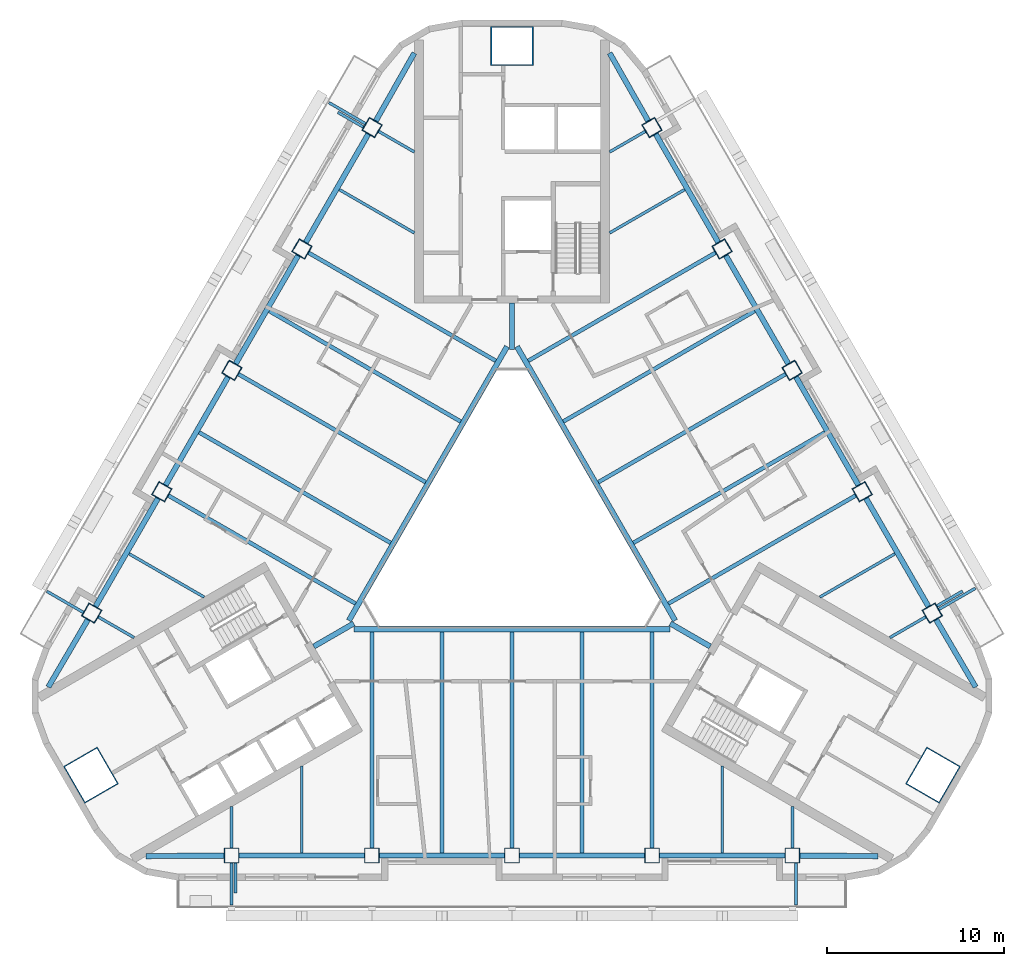
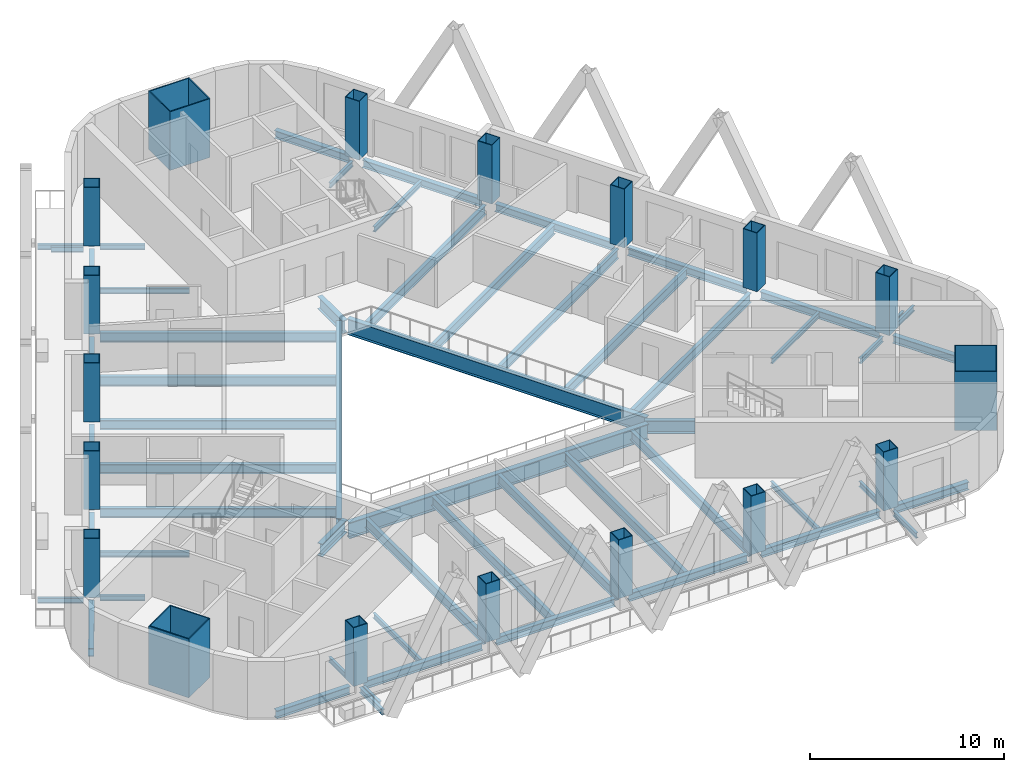
# One storey, part 1 of 13: 59 beams, 18 columns.
"""IFC4 building model written with IfcOpenShell, lengths in metres."""

from ifc_helpers import new_model, si_unit, direction, frame, origin, origin_2d, place, context, subcontext, project, spatial, rectangle, hollow_rectangle, i_section, extrude, material, material_profile, profile_set, type_object, element, save


model = new_model("IFC4")

# Units and contexts
model_context = context("Model", 3, precision=1e-05, world=origin(), true_north=direction((0.0, 1.0)))
body_context = subcontext(model_context, "Body", "Model", "MODEL_VIEW")
ifc_project = project(units=[si_unit("LENGTHUNIT", "METRE"), si_unit("AREAUNIT", "SQUARE_METRE"), si_unit("VOLUMEUNIT", "CUBIC_METRE"), si_unit("PLANEANGLEUNIT", "RADIAN"), si_unit("MASSUNIT", "GRAM", prefix="KILO")], contexts=[model_context])

# Site, building, storey
site_placement = place(None, origin())
site = spatial("IfcSite", under=ifc_project, at=site_placement, CompositionType="ELEMENT")
building_placement = place(site_placement, origin())
building = spatial("IfcBuilding", under=site, at=building_placement, Name="Apuvela Tower Hotel", CompositionType="ELEMENT")
storey_placement = place(building_placement, frame((0.0, 0.0, 161.39990234375)))
storey = spatial("IfcBuildingStorey", under=building, at=storey_placement, Name="L38", CompositionType="ELEMENT", Elevation=161.39990234375)

# Columns
ifc_material_1 = material(Name="Steel S460", Category="steel")
ifc_material_profile_1 = material_profile(ifc_material_1, hollow_rectangle(XDim=2.39990234375, YDim=2.199951171875, WallThickness=0.06005859375, at=origin_2d()), Name="BOX 2400x2200x60")
ifc_material_2 = material(Name="Concrete C80/95", Category="concrete")
ifc_material_profile_2 = material_profile(ifc_material_2, rectangle(XDim=2.280029296875, YDim=2.080078125, at=origin_2d()), Name="Concrete C80/95 infill")
ifc_profile_set_1 = profile_set([ifc_material_profile_1, ifc_material_profile_2], Name="Steel S460")
column_type_1 = type_object("IfcColumnType", Name="STR-MC mega column BOX 2400x2200x60", PredefinedType="COLUMN", material=ifc_profile_set_1)
for number, where, z_axis, x_axis, name in (
    (1, (0.0, 27.39990234375, 0.0), (0.0, 0.0, 1.0), (1.0, 0.0, 0.0), "Mega column MC3 N"),
    (2, (-23.72900390625, -13.699951171875, 0.0), (0.0, 0.0, 1.0), (-0.5, 0.866025403784, 0.0), "Mega column MC3 SW"),
    (3, (23.72900390625, -13.699951171875, 0.0), (0.0, 0.0, 1.0), (0.5, 0.866025403784, 0.0), "Mega column MC3 SE"),
):
    element("IfcColumn", number, at=place(storey_placement, frame(where, z_axis=z_axis, x_axis=x_axis)), inside=storey, type_object=column_type_1, Name=name, PredefinedType="COLUMN", context=body_context, shape_type="SweptSolid", body=[
        extrude(hollow_rectangle(XDim=2.39990234375, YDim=2.199951171875, WallThickness=0.06005859375, at=origin_2d()), origin(), (0.0, 0.0, 1.0), 3.7001953125),
    ])
ifc_material_profile_3 = material_profile(ifc_material_1, hollow_rectangle(XDim=0.85009765625, YDim=0.85009765625, WallThickness=0.0400390625, at=origin_2d()), Name="BOX 850x850x40")
ifc_material_profile_4 = material_profile(ifc_material_2, rectangle(XDim=0.77001953125, YDim=0.77001953125, at=origin_2d()), Name="Concrete C80/95 infill")
ifc_profile_set_2 = profile_set([ifc_material_profile_3, ifc_material_profile_4], Name="Steel S460")
column_type_2 = type_object("IfcColumnType", Name="STR-PC perimeter column BOX 850x850x40", PredefinedType="COLUMN", material=ifc_profile_set_2)
for number, where, z_axis, x_axis, name in (
    (4, (-15.800048828125, -18.22998046875, 0.0), (0.0, 0.0, 1.0), (-1.0, 0.0, 0.0), "Perimeter column C4 S1"),
    (5, (-7.89990234375, -18.22998046875, 0.0), (0.0, 0.0, 1.0), (-1.0, 0.0, 0.0), "Perimeter column C4 S2"),
    (6, (0.0, -18.22998046875, 0.0), (0.0, 0.0, 1.0), (-1.0, 0.0, 0.0), "Perimeter column C4 S3"),
    (7, (7.89990234375, -18.22998046875, 0.0), (0.0, 0.0, 1.0), (-1.0, 0.0, 0.0), "Perimeter column C4 S4"),
    (8, (15.800048828125, -18.22998046875, 0.0), (0.0, 0.0, 1.0), (-1.0, 0.0, 0.0), "Perimeter column C4 S5"),
    (9, (23.6875, -4.568115234375, 0.0), (0.0, 0.0, 1.0), (-0.5, 0.866025403784, 0.0), "Perimeter column C4 NE1"),
    (10, (19.737548828125, 2.2734375, 0.0), (0.0, 0.0, 1.0), (-0.5, 0.866025403784, 0.0), "Perimeter column C4 NE2"),
    (11, (15.78759765625, 9.114990234375, 0.0), (0.0, 0.0, 1.0), (-0.5, 0.866025403784, 0.0), "Perimeter column C4 NE3"),
    (12, (11.837646484375, 15.95654296875, 0.0), (0.0, 0.0, 1.0), (-0.5, 0.866025403784, 0.0), "Perimeter column C4 NE4"),
    (13, (7.8876953125, 22.798095703125, 0.0), (0.0, 0.0, 1.0), (-0.5, 0.866025403784, 0.0), "Perimeter column C4 NE5"),
    (14, (-7.8876953125, 22.798095703125, 0.0), (0.0, 0.0, 1.0), (0.5, 0.866025403784, 0.0), "Perimeter column C4 NW1"),
    (15, (-11.837646484375, 15.95654296875, 0.0), (0.0, 0.0, 1.0), (0.5, 0.866025403784, 0.0), "Perimeter column C4 NW2"),
    (16, (-15.78759765625, 9.114990234375, 0.0), (0.0, 0.0, 1.0), (0.5, 0.866025403784, 0.0), "Perimeter column C4 NW3"),
    (17, (-19.737548828125, 2.2734375, 0.0), (0.0, 0.0, 1.0), (0.5, 0.866025403784, 0.0), "Perimeter column C4 NW4"),
    (18, (-23.6875, -4.568115234375, 0.0), (0.0, 0.0, 1.0), (0.5, 0.866025403784, 0.0), "Perimeter column C4 NW5"),
):
    element("IfcColumn", number, at=place(storey_placement, frame(where, z_axis=z_axis, x_axis=x_axis)), inside=storey, type_object=column_type_2, Name=name, PredefinedType="COLUMN", context=body_context, shape_type="SweptSolid", body=[
        extrude(hollow_rectangle(XDim=0.85009765625, YDim=0.85009765625, WallThickness=0.0400390625, at=origin_2d()), origin(), (0.0, 0.0, 1.0), 3.7001953125),
    ])

# Beams
ifc_material_3 = material(Name="Steel S355", Category="steel")
ifc_material_profile_5 = material_profile(ifc_material_3, i_section(OverallWidth=0.159912109375, OverallDepth=0.330078125, WebThickness=0.007568359375, FlangeThickness=0.011474609375, at=origin_2d()), Name="IPE 330")
ifc_profile_set_3 = profile_set([ifc_material_profile_5], Name="Steel S355")
beam_type_1 = type_object("IfcBeamType", Name="ENV-BALCONY-BEAM-IPE330", PredefinedType="BEAM", material=ifc_profile_set_3)
beam_1_placement = place(storey_placement, frame((-15.800048828125, -18.655029296875, -0.31494140625), z_axis=(0.0, -1.0, 0.0), x_axis=(1.0, 0.0, 0.0)))
element("IfcBeam", 19, at=beam_1_placement, inside=storey, type_object=beam_type_1, Name="Balcony cantilever beam S1 L38", PredefinedType="BEAM", context=body_context, shape_type="SweptSolid", body=[
    extrude(i_section(OverallWidth=0.159912109375, OverallDepth=0.330078125, WebThickness=0.007568359375, FlangeThickness=0.011474609375, at=origin_2d()), origin(), (0.0, 0.0, 1.0), 2.375),
])
beam_2_placement = place(storey_placement, frame((-15.580078125, -18.655029296875, -0.31494140625), z_axis=(0.0, -1.0, 0.0), x_axis=(1.0, 0.0, 0.0)))
element("IfcBeam", 20, at=beam_2_placement, inside=storey, type_object=beam_type_1, Name="Balcony cantilever beam S2 L38", PredefinedType="BEAM", context=body_context, shape_type="SweptSolid", body=[
    extrude(i_section(OverallWidth=0.159912109375, OverallDepth=0.330078125, WebThickness=0.007568359375, FlangeThickness=0.011474609375, at=origin_2d()), origin(), (0.0, 0.0, 1.0), 1.675048828125),
])
for number, where, z_axis, x_axis, name in (
    (21, (16.0, -18.655029296875, -0.31494140625), (0.0, -1.0, 0.0), (1.0, 0.0, 0.0), "Balcony cantilever beam S3 L38"),
    (22, (24.0556640625, -4.355712890625, -0.31494140625), (0.866033238375, 0.499986429846, 0.0), (-0.499986429846, 0.866033238375, 0.0), "Balcony cantilever beam NE1 L38"),
):
    element("IfcBeam", number, at=place(storey_placement, frame(where, z_axis=z_axis, x_axis=x_axis)), inside=storey, type_object=beam_type_1, Name=name, PredefinedType="BEAM", context=body_context, shape_type="SweptSolid", body=[
        extrude(i_section(OverallWidth=0.159912109375, OverallDepth=0.330078125, WebThickness=0.007568359375, FlangeThickness=0.011474609375, at=origin_2d()), origin(), (0.0, 0.0, 1.0), 2.375),
    ])
beam_3_placement = place(storey_placement, frame((23.94580078125, -4.165283203125, -0.31494140625), z_axis=(0.865964676353, 0.500105168249, 0.0), x_axis=(-0.500105168249, 0.865964676353, 0.0)))
element("IfcBeam", 23, at=beam_3_placement, inside=storey, type_object=beam_type_1, Name="Balcony cantilever beam NE2 L38", PredefinedType="BEAM", context=body_context, shape_type="SweptSolid", body=[
    extrude(i_section(OverallWidth=0.159912109375, OverallDepth=0.330078125, WebThickness=0.007568359375, FlangeThickness=0.011474609375, at=origin_2d()), origin(), (0.0, 0.0, 1.0), 1.675048828125),
])
beam_4_placement = place(storey_placement, frame((-8.255615234375, 23.0107421875, -0.31494140625), z_axis=(-0.866033238375, 0.499986429846, 0.0), x_axis=(-0.499986429846, -0.866033238375, 0.0)))
element("IfcBeam", 24, at=beam_4_placement, inside=storey, type_object=beam_type_1, Name="Balcony cantilever beam NW1 L38", PredefinedType="BEAM", context=body_context, shape_type="SweptSolid", body=[
    extrude(i_section(OverallWidth=0.159912109375, OverallDepth=0.330078125, WebThickness=0.007568359375, FlangeThickness=0.011474609375, at=origin_2d()), origin(), (0.0, 0.0, 1.0), 2.375),
])
beam_5_placement = place(storey_placement, frame((-8.36572265625, 22.8203125, -0.31494140625), z_axis=(-0.866064234506, 0.499932737185, 0.0), x_axis=(-0.499932737185, -0.866064234506, 0.0)))
element("IfcBeam", 25, at=beam_5_placement, inside=storey, type_object=beam_type_1, Name="Balcony cantilever beam NW2 L38", PredefinedType="BEAM", context=body_context, shape_type="SweptSolid", body=[
    extrude(i_section(OverallWidth=0.159912109375, OverallDepth=0.330078125, WebThickness=0.007568359375, FlangeThickness=0.011474609375, at=origin_2d()), origin(), (0.0, 0.0, 1.0), 1.675048828125),
])
beam_6_placement = place(storey_placement, frame((-24.15576171875, -4.52880859375, -0.31494140625), z_axis=(-0.866007538022, 0.500030943131, 0.0), x_axis=(-0.500030943131, -0.866007538022, 0.0)))
element("IfcBeam", 26, at=beam_6_placement, inside=storey, type_object=beam_type_1, Name="Balcony cantilever beam NW3 L38", PredefinedType="BEAM", context=body_context, shape_type="SweptSolid", body=[
    extrude(i_section(OverallWidth=0.159912109375, OverallDepth=0.330078125, WebThickness=0.007568359375, FlangeThickness=0.011474609375, at=origin_2d()), origin(), (0.0, 0.0, 1.0), 2.374755859375),
])
ifc_material_profile_6 = material_profile(ifc_material_3, i_section(OverallWidth=0.159912109375, OverallDepth=0.330078125, WebThickness=0.007568359375, FlangeThickness=0.011474609375, at=origin_2d()), Name="IPE 330")
ifc_profile_set_4 = profile_set([ifc_material_profile_6], Name="Steel S355")
beam_type_2 = type_object("IfcBeamType", Name="STR-B floor beam IPE 330", PredefinedType="BEAM", material=ifc_profile_set_4)
beam_7_placement = place(storey_placement, frame((23.319580078125, -4.78076171875, -0.31494140625), z_axis=(-0.866018215049, -0.500012451049, 0.0), x_axis=(0.500012451049, -0.866018215049, 0.0)))
element("IfcBeam", 27, at=beam_7_placement, inside=storey, type_object=beam_type_2, Name="Floor beam B1 NE1", PredefinedType="BEAM", context=body_context, shape_type="SweptSolid", body=[
    extrude(i_section(OverallWidth=0.159912109375, OverallDepth=0.330078125, WebThickness=0.007568359375, FlangeThickness=0.011474609375, at=origin_2d()), origin(), (0.0, 0.0, 1.0), 2.33203125),
])
for number, where, z_axis, x_axis, name in (
    (28, (21.582763671875, -1.222412109375, -0.31494140625), (-0.866015056278, -0.500017921979, 0.0), (0.500017921979, -0.866015056278, 0.0), "Floor beam B1 NE2"),
    (29, (9.732666015625, 19.302490234375, -0.31494140625), (-0.866015056278, -0.500017921979, 0.0), (0.500017921979, -0.866015056278, 0.0), "Floor beam B1 NE8"),
):
    element("IfcBeam", number, at=place(storey_placement, frame(where, z_axis=z_axis, x_axis=x_axis)), inside=storey, type_object=beam_type_2, Name=name, PredefinedType="BEAM", context=body_context, shape_type="SweptSolid", body=[
        extrude(i_section(OverallWidth=0.159912109375, OverallDepth=0.330078125, WebThickness=0.007568359375, FlangeThickness=0.011474609375, at=origin_2d()), origin(), (0.0, 0.0, 1.0), 4.887451171875),
    ])
for number, where, z_axis, x_axis, name in (
    (30, (7.51953125, 22.585693359375, -0.31494140625), (-0.866018215049, -0.500012451049, 0.0), (0.500012451049, -0.866018215049, 0.0), "Floor beam B1 NE9"),
    (31, (-7.51953125, 22.585693359375, -0.31494140625), (0.866018215049, -0.500012451049, 0.0), (0.500012451049, 0.866018215049, 0.0), "Floor beam B1 NW1"),
):
    element("IfcBeam", number, at=place(storey_placement, frame(where, z_axis=z_axis, x_axis=x_axis)), inside=storey, type_object=beam_type_2, Name=name, PredefinedType="BEAM", context=body_context, shape_type="SweptSolid", body=[
        extrude(i_section(OverallWidth=0.159912109375, OverallDepth=0.330078125, WebThickness=0.007568359375, FlangeThickness=0.011474609375, at=origin_2d()), origin(), (0.0, 0.0, 1.0), 2.33203125),
    ])
for number, where, z_axis, x_axis, name in (
    (32, (-9.732666015625, 19.302490234375, -0.31494140625), (0.866015056278, -0.500017921979, 0.0), (0.500017921979, 0.866015056278, 0.0), "Floor beam B1 NW2"),
    (33, (-21.582763671875, -1.222412109375, -0.31494140625), (0.866015056278, -0.500017921979, 0.0), (0.500017921979, 0.866015056278, 0.0), "Floor beam B1 NW8"),
):
    element("IfcBeam", number, at=place(storey_placement, frame(where, z_axis=z_axis, x_axis=x_axis)), inside=storey, type_object=beam_type_2, Name=name, PredefinedType="BEAM", context=body_context, shape_type="SweptSolid", body=[
        extrude(i_section(OverallWidth=0.159912109375, OverallDepth=0.330078125, WebThickness=0.007568359375, FlangeThickness=0.011474609375, at=origin_2d()), origin(), (0.0, 0.0, 1.0), 4.887451171875),
    ])
for number, where, z_axis, x_axis, name in (
    (34, (-23.319580078125, -4.78076171875, -0.31494140625), (0.866018215049, -0.500012451049, 0.0), (0.500012451049, 0.866018215049, 0.0), "Floor beam B1 NW9"),
    (35, (-15.800048828125, -17.804931640625, -0.31494140625), (0.0, 1.0, 0.0), (-1.0, 0.0, 0.0), "Floor beam B1 S1"),
):
    element("IfcBeam", number, at=place(storey_placement, frame(where, z_axis=z_axis, x_axis=x_axis)), inside=storey, type_object=beam_type_2, Name=name, PredefinedType="BEAM", context=body_context, shape_type="SweptSolid", body=[
        extrude(i_section(OverallWidth=0.159912109375, OverallDepth=0.330078125, WebThickness=0.007568359375, FlangeThickness=0.011474609375, at=origin_2d()), origin(), (0.0, 0.0, 1.0), 2.33203125),
    ])
for number, where, z_axis, x_axis, name in (
    (36, (-11.85009765625, -18.080078125, -0.31494140625), (0.0, 1.0, 0.0), (-1.0, 0.0, 0.0), "Floor beam B1 S2"),
    (37, (11.85009765625, -18.080078125, -0.31494140625), (0.0, 1.0, 0.0), (-1.0, 0.0, 0.0), "Floor beam B1 S8"),
):
    element("IfcBeam", number, at=place(storey_placement, frame(where, z_axis=z_axis, x_axis=x_axis)), inside=storey, type_object=beam_type_2, Name=name, PredefinedType="BEAM", context=body_context, shape_type="SweptSolid", body=[
        extrude(i_section(OverallWidth=0.159912109375, OverallDepth=0.330078125, WebThickness=0.007568359375, FlangeThickness=0.011474609375, at=origin_2d()), origin(), (0.0, 0.0, 1.0), 4.8876953125),
    ])
beam_8_placement = place(storey_placement, frame((15.800048828125, -17.804931640625, -0.31494140625), z_axis=(0.0, 1.0, 0.0), x_axis=(-1.0, 0.0, 0.0)))
element("IfcBeam", 38, at=beam_8_placement, inside=storey, type_object=beam_type_2, Name="Floor beam B1 S9", PredefinedType="BEAM", context=body_context, shape_type="SweptSolid", body=[
    extrude(i_section(OverallWidth=0.159912109375, OverallDepth=0.330078125, WebThickness=0.007568359375, FlangeThickness=0.011474609375, at=origin_2d()), origin(), (0.0, 0.0, 1.0), 2.33203125),
])
ifc_material_profile_7 = material_profile(ifc_material_3, i_section(OverallWidth=0.219970703125, OverallDepth=0.60009765625, WebThickness=0.011962890625, FlangeThickness=0.01904296875, at=origin_2d()), Name="IPE 600")
ifc_profile_set_5 = profile_set([ifc_material_profile_7], Name="Steel S355")
beam_type_3 = type_object("IfcBeamType", Name="STR-B floor beam IPE 600", PredefinedType="BEAM", material=ifc_profile_set_5)
beam_9_placement = place(storey_placement, frame((19.36962890625, 2.060791015625, -0.449951171875), z_axis=(-0.866032437209, -0.499987817553, 0.0), x_axis=(0.499987817553, -0.866032437209, 0.0)))
element("IfcBeam", 39, at=beam_9_placement, inside=storey, type_object=beam_type_3, Name="Floor beam B8 NE3", PredefinedType="BEAM", context=body_context, shape_type="SweptSolid", body=[
    extrude(i_section(OverallWidth=0.219970703125, OverallDepth=0.60009765625, WebThickness=0.011962890625, FlangeThickness=0.01904296875, at=origin_2d()), origin(), (0.0, 0.0, 1.0), 12.184814453125),
])
beam_10_placement = place(storey_placement, frame((17.6328125, 5.619140625, -0.449951171875), z_axis=(-0.866027987673, -0.499995524547, 0.0), x_axis=(0.499995524547, -0.866027987673, 0.0)))
element("IfcBeam", 40, at=beam_10_placement, inside=storey, type_object=beam_type_3, Name="Floor beam B8 NE4", PredefinedType="BEAM", context=body_context, shape_type="SweptSolid", body=[
    extrude(i_section(OverallWidth=0.219970703125, OverallDepth=0.60009765625, WebThickness=0.011962890625, FlangeThickness=0.01904296875, at=origin_2d()), origin(), (0.0, 0.0, 1.0), 12.4599609375),
])
beam_11_placement = place(storey_placement, frame((15.419677734375, 8.902587890625, -0.449951171875), z_axis=(-0.8660237613, -0.500002844856, 0.0), x_axis=(0.500002844856, -0.8660237613, 0.0)))
element("IfcBeam", 41, at=beam_11_placement, inside=storey, type_object=beam_type_3, Name="Floor beam B8 NE5", PredefinedType="BEAM", context=body_context, shape_type="SweptSolid", body=[
    extrude(i_section(OverallWidth=0.219970703125, OverallDepth=0.60009765625, WebThickness=0.011962890625, FlangeThickness=0.01904296875, at=origin_2d()), origin(), (0.0, 0.0, 1.0), 12.18505859375),
])
beam_12_placement = place(storey_placement, frame((13.6826171875, 12.460693359375, -0.449951171875), z_axis=(-0.866023089177, -0.500004008996, 0.0), x_axis=(0.500004008996, -0.866023089177, 0.0)))
element("IfcBeam", 42, at=beam_12_placement, inside=storey, type_object=beam_type_3, Name="Floor beam B8 NE6", PredefinedType="BEAM", context=body_context, shape_type="SweptSolid", body=[
    extrude(i_section(OverallWidth=0.219970703125, OverallDepth=0.60009765625, WebThickness=0.011962890625, FlangeThickness=0.01904296875, at=origin_2d()), origin(), (0.0, 0.0, 1.0), 12.4599609375),
])
for number, where, z_axis, x_axis, name in (
    (43, (11.469482421875, 15.744140625, -0.449951171875), (-0.8660237613, -0.500002844856, 0.0), (0.500002844856, -0.8660237613, 0.0), "Floor beam B8 NE7"),
    (44, (-11.469482421875, 15.744140625, -0.449951171875), (0.8660237613, -0.500002844856, 0.0), (0.500002844856, 0.8660237613, 0.0), "Floor beam B8 NW3"),
):
    element("IfcBeam", number, at=place(storey_placement, frame(where, z_axis=z_axis, x_axis=x_axis)), inside=storey, type_object=beam_type_3, Name=name, PredefinedType="BEAM", context=body_context, shape_type="SweptSolid", body=[
        extrude(i_section(OverallWidth=0.219970703125, OverallDepth=0.60009765625, WebThickness=0.011962890625, FlangeThickness=0.01904296875, at=origin_2d()), origin(), (0.0, 0.0, 1.0), 12.18505859375),
    ])
beam_13_placement = place(storey_placement, frame((-13.6826171875, 12.460693359375, -0.449951171875), z_axis=(0.866023089177, -0.500004008996, 0.0), x_axis=(0.500004008996, 0.866023089177, 0.0)))
element("IfcBeam", 45, at=beam_13_placement, inside=storey, type_object=beam_type_3, Name="Floor beam B8 NW4", PredefinedType="BEAM", context=body_context, shape_type="SweptSolid", body=[
    extrude(i_section(OverallWidth=0.219970703125, OverallDepth=0.60009765625, WebThickness=0.011962890625, FlangeThickness=0.01904296875, at=origin_2d()), origin(), (0.0, 0.0, 1.0), 12.4599609375),
])
beam_14_placement = place(storey_placement, frame((-15.419677734375, 8.902587890625, -0.449951171875), z_axis=(0.8660237613, -0.500002844856, 0.0), x_axis=(0.500002844856, 0.8660237613, 0.0)))
element("IfcBeam", 46, at=beam_14_placement, inside=storey, type_object=beam_type_3, Name="Floor beam B8 NW5", PredefinedType="BEAM", context=body_context, shape_type="SweptSolid", body=[
    extrude(i_section(OverallWidth=0.219970703125, OverallDepth=0.60009765625, WebThickness=0.011962890625, FlangeThickness=0.01904296875, at=origin_2d()), origin(), (0.0, 0.0, 1.0), 12.18505859375),
])
beam_15_placement = place(storey_placement, frame((-17.6328125, 5.619140625, -0.449951171875), z_axis=(0.866027987673, -0.499995524547, 0.0), x_axis=(0.499995524547, 0.866027987673, 0.0)))
element("IfcBeam", 47, at=beam_15_placement, inside=storey, type_object=beam_type_3, Name="Floor beam B8 NW6", PredefinedType="BEAM", context=body_context, shape_type="SweptSolid", body=[
    extrude(i_section(OverallWidth=0.219970703125, OverallDepth=0.60009765625, WebThickness=0.011962890625, FlangeThickness=0.01904296875, at=origin_2d()), origin(), (0.0, 0.0, 1.0), 12.4599609375),
])
for number, where, z_axis, x_axis, name in (
    (48, (-19.36962890625, 2.060791015625, -0.449951171875), (0.866032437209, -0.499987817553, 0.0), (0.499987817553, 0.866032437209, 0.0), "Floor beam B8 NW7"),
    (49, (-7.89990234375, -17.804931640625, -0.449951171875), (0.0, 1.0, 0.0), (-1.0, 0.0, 0.0), "Floor beam B8 S3"),
):
    element("IfcBeam", number, at=place(storey_placement, frame(where, z_axis=z_axis, x_axis=x_axis)), inside=storey, type_object=beam_type_3, Name=name, PredefinedType="BEAM", context=body_context, shape_type="SweptSolid", body=[
        extrude(i_section(OverallWidth=0.219970703125, OverallDepth=0.60009765625, WebThickness=0.011962890625, FlangeThickness=0.01904296875, at=origin_2d()), origin(), (0.0, 0.0, 1.0), 12.184814453125),
    ])
beam_16_placement = place(storey_placement, frame((-3.949951171875, -18.080078125, -0.449951171875), z_axis=(0.0, 1.0, 0.0), x_axis=(-1.0, 0.0, 0.0)))
element("IfcBeam", 50, at=beam_16_placement, inside=storey, type_object=beam_type_3, Name="Floor beam B8 S4", PredefinedType="BEAM", context=body_context, shape_type="SweptSolid", body=[
    extrude(i_section(OverallWidth=0.219970703125, OverallDepth=0.60009765625, WebThickness=0.011962890625, FlangeThickness=0.01904296875, at=origin_2d()), origin(), (0.0, 0.0, 1.0), 12.4599609375),
])
beam_17_placement = place(storey_placement, frame((0.0, -17.804931640625, -0.449951171875), z_axis=(0.0, 1.0, 0.0), x_axis=(-1.0, 0.0, 0.0)))
element("IfcBeam", 51, at=beam_17_placement, inside=storey, type_object=beam_type_3, Name="Floor beam B8 S5", PredefinedType="BEAM", context=body_context, shape_type="SweptSolid", body=[
    extrude(i_section(OverallWidth=0.219970703125, OverallDepth=0.60009765625, WebThickness=0.011962890625, FlangeThickness=0.01904296875, at=origin_2d()), origin(), (0.0, 0.0, 1.0), 12.184814453125),
])
beam_18_placement = place(storey_placement, frame((3.949951171875, -18.080078125, -0.449951171875), z_axis=(0.0, 1.0, 0.0), x_axis=(-1.0, 0.0, 0.0)))
element("IfcBeam", 52, at=beam_18_placement, inside=storey, type_object=beam_type_3, Name="Floor beam B8 S6", PredefinedType="BEAM", context=body_context, shape_type="SweptSolid", body=[
    extrude(i_section(OverallWidth=0.219970703125, OverallDepth=0.60009765625, WebThickness=0.011962890625, FlangeThickness=0.01904296875, at=origin_2d()), origin(), (0.0, 0.0, 1.0), 12.4599609375),
])
beam_19_placement = place(storey_placement, frame((7.89990234375, -17.804931640625, -0.449951171875), z_axis=(0.0, 1.0, 0.0), x_axis=(-1.0, 0.0, 0.0)))
element("IfcBeam", 53, at=beam_19_placement, inside=storey, type_object=beam_type_3, Name="Floor beam B8 S7", PredefinedType="BEAM", context=body_context, shape_type="SweptSolid", body=[
    extrude(i_section(OverallWidth=0.219970703125, OverallDepth=0.60009765625, WebThickness=0.011962890625, FlangeThickness=0.01904296875, at=origin_2d()), origin(), (0.0, 0.0, 1.0), 12.184814453125),
])
ifc_material_profile_8 = material_profile(ifc_material_3, i_section(OverallWidth=0.300048828125, OverallDepth=1.0, WebThickness=0.01904296875, FlangeThickness=0.035888671875, at=origin_2d()), Name="HE 1000 B")
ifc_profile_set_6 = profile_set([ifc_material_profile_8], Name="Steel S355")
beam_type_4 = type_object("IfcBeamType", Name="STR-G atrium ring girder HE 1000 B", PredefinedType="BEAM", material=ifc_profile_set_6)
beam_20_placement = place(storey_placement, frame((-0.27978515625, 10.455078125, -0.64990234375), z_axis=(-0.500006541319, -0.866021627119, 0.0), x_axis=(0.866021627119, -0.500006541319, 0.0)))
element("IfcBeam", 54, at=beam_20_placement, inside=storey, type_object=beam_type_4, Name="Atrium ring girder G2 N-SW", PredefinedType="BEAM", context=body_context, shape_type="SweptSolid", body=[
    extrude(i_section(OverallWidth=0.300048828125, OverallDepth=1.0, WebThickness=0.01904296875, FlangeThickness=0.035888671875, at=origin_2d()), origin(), (0.0, 0.0, 1.0), 17.828857421875),
])
beam_21_placement = place(storey_placement, frame((-8.91455078125, -5.469970703125, -0.64990234375), z_axis=(1.0, 0.0, 0.0), x_axis=(0.0, 1.0, 0.0)))
element("IfcBeam", 55, at=beam_21_placement, inside=storey, type_object=beam_type_4, Name="Atrium ring girder G2 SW-SE", PredefinedType="BEAM", context=body_context, shape_type="SweptSolid", body=[
    extrude(i_section(OverallWidth=0.300048828125, OverallDepth=1.0, WebThickness=0.01904296875, FlangeThickness=0.035888671875, at=origin_2d()), origin(), (0.0, 0.0, 1.0), 17.8291015625),
])
beam_22_placement = place(storey_placement, frame((9.1943359375, -4.985107421875, -0.64990234375), z_axis=(-0.500006541319, 0.866021627119, 0.0), x_axis=(-0.866021627119, -0.500006541319, 0.0)))
element("IfcBeam", 56, at=beam_22_placement, inside=storey, type_object=beam_type_4, Name="Atrium ring girder G2 SE-N", PredefinedType="BEAM", context=body_context, shape_type="SweptSolid", body=[
    extrude(i_section(OverallWidth=0.300048828125, OverallDepth=1.0, WebThickness=0.01904296875, FlangeThickness=0.035888671875, at=origin_2d()), origin(), (0.0, 0.0, 1.0), 17.828857421875),
])
ifc_material_profile_9 = material_profile(ifc_material_3, i_section(OverallWidth=0.300048828125, OverallDepth=0.800048828125, WebThickness=0.017578125, FlangeThickness=0.032958984375, at=origin_2d()), Name="HE 800 B")
ifc_profile_set_7 = profile_set([ifc_material_profile_9], Name="Steel S355")
beam_type_5 = type_object("IfcBeamType", Name="STR-GT core tie beam HE 800 B", PredefinedType="BEAM", material=ifc_profile_set_7)
for number, where, z_axis, x_axis, name in (
    (57, (0.0, 12.89990234375, -0.5498046875), (0.0, -1.0, 0.0), (1.0, 0.0, 0.0), "Core tie beam GT1 N"),
    (58, (-11.171630859375, -6.449951171875, -0.5498046875), (0.865997922154, 0.500047596559, 0.0), (-0.500047596559, 0.865997922154, 0.0), "Core tie beam GT1 SW"),
    (59, (11.171630859375, -6.449951171875, -0.5498046875), (-0.865997922154, 0.500047596559, 0.0), (-0.500047596559, -0.865997922154, 0.0), "Core tie beam GT1 SE"),
):
    element("IfcBeam", number, at=place(storey_placement, frame(where, z_axis=z_axis, x_axis=x_axis)), inside=storey, type_object=beam_type_5, Name=name, PredefinedType="BEAM", context=body_context, shape_type="SweptSolid", body=[
        extrude(i_section(OverallWidth=0.300048828125, OverallDepth=0.800048828125, WebThickness=0.017578125, FlangeThickness=0.032958984375, at=origin_2d()), origin(), (0.0, 0.0, 1.0), 2.599853515625),
    ])
ifc_material_profile_10 = material_profile(ifc_material_3, i_section(OverallWidth=0.300048828125, OverallDepth=0.489990234375, WebThickness=0.011962890625, FlangeThickness=0.02294921875, at=origin_2d()), Name="HE 500 A")
ifc_profile_set_8 = profile_set([ifc_material_profile_10], Name="Steel S355")
beam_type_6 = type_object("IfcBeamType", Name="STR-SB spandrel beam HE 500 A", PredefinedType="SPANDREL", material=ifc_profile_set_8)
for number, where, z_axis, x_axis, name in (
    (60, (-15.375, -18.22998046875, -0.39501953125), (1.0, 0.0, 0.0), (0.0, 1.0, 0.0), "Spandrel beam SB3 S1"),
    (61, (-7.47509765625, -18.22998046875, -0.39501953125), (1.0, 0.0, 0.0), (0.0, 1.0, 0.0), "Spandrel beam SB3 S2"),
    (62, (0.425048828125, -18.22998046875, -0.39501953125), (1.0, 0.0, 0.0), (0.0, 1.0, 0.0), "Spandrel beam SB3 S3"),
    (63, (8.324951171875, -18.22998046875, -0.39501953125), (1.0, 0.0, 0.0), (0.0, 1.0, 0.0), "Spandrel beam SB3 S4"),
    (64, (23.47509765625, -4.2001953125, -0.39501953125), (-0.499990246421, 0.866031034943, 0.0), (-0.866031034943, -0.499990246421, 0.0), "Spandrel beam SB3 NE1"),
):
    element("IfcBeam", number, at=place(storey_placement, frame(where, z_axis=z_axis, x_axis=x_axis)), inside=storey, type_object=beam_type_6, Name=name, PredefinedType="SPANDREL", context=body_context, shape_type="SweptSolid", body=[
        extrude(i_section(OverallWidth=0.300048828125, OverallDepth=0.489990234375, WebThickness=0.011962890625, FlangeThickness=0.02294921875, at=origin_2d()), origin(), (0.0, 0.0, 1.0), 7.050048828125),
    ])
for number, where, z_axis, x_axis, name in (
    (65, (19.525146484375, 2.6416015625, -0.39501953125), (-0.500031214443, 0.866007381368, 0.0), (-0.866007381368, -0.500031214443, 0.0), "Spandrel beam SB3 NE2"),
    (66, (15.5751953125, 9.483154296875, -0.39501953125), (-0.500031214443, 0.866007381368, 0.0), (-0.866007381368, -0.500031214443, 0.0), "Spandrel beam SB3 NE3"),
):
    element("IfcBeam", number, at=place(storey_placement, frame(where, z_axis=z_axis, x_axis=x_axis)), inside=storey, type_object=beam_type_6, Name=name, PredefinedType="SPANDREL", context=body_context, shape_type="SweptSolid", body=[
        extrude(i_section(OverallWidth=0.300048828125, OverallDepth=0.489990234375, WebThickness=0.011962890625, FlangeThickness=0.02294921875, at=origin_2d()), origin(), (0.0, 0.0, 1.0), 7.0498046875),
    ])
for number, where, z_axis, x_axis, name in (
    (67, (11.625, 16.32470703125, -0.39501953125), (-0.499990246421, 0.866031034943, 0.0), (-0.866031034943, -0.499990246421, 0.0), "Spandrel beam SB3 NE4"),
    (68, (-8.10009765625, 22.43017578125, -0.39501953125), (-0.499990246421, -0.866031034943, 0.0), (0.866031034943, -0.499990246421, 0.0), "Spandrel beam SB3 NW1"),
):
    element("IfcBeam", number, at=place(storey_placement, frame(where, z_axis=z_axis, x_axis=x_axis)), inside=storey, type_object=beam_type_6, Name=name, PredefinedType="SPANDREL", context=body_context, shape_type="SweptSolid", body=[
        extrude(i_section(OverallWidth=0.300048828125, OverallDepth=0.489990234375, WebThickness=0.011962890625, FlangeThickness=0.02294921875, at=origin_2d()), origin(), (0.0, 0.0, 1.0), 7.050048828125),
    ])
for number, where, z_axis, x_axis, name in (
    (69, (-12.050048828125, 15.58837890625, -0.39501953125), (-0.500031214443, -0.866007381368, 0.0), (0.866007381368, -0.500031214443, 0.0), "Spandrel beam SB3 NW2"),
    (70, (-16.0, 8.746826171875, -0.39501953125), (-0.500031214443, -0.866007381368, 0.0), (0.866007381368, -0.500031214443, 0.0), "Spandrel beam SB3 NW3"),
):
    element("IfcBeam", number, at=place(storey_placement, frame(where, z_axis=z_axis, x_axis=x_axis)), inside=storey, type_object=beam_type_6, Name=name, PredefinedType="SPANDREL", context=body_context, shape_type="SweptSolid", body=[
        extrude(i_section(OverallWidth=0.300048828125, OverallDepth=0.489990234375, WebThickness=0.011962890625, FlangeThickness=0.02294921875, at=origin_2d()), origin(), (0.0, 0.0, 1.0), 7.0498046875),
    ])
beam_23_placement = place(storey_placement, frame((-19.9501953125, 1.9052734375, -0.39501953125), z_axis=(-0.499990246421, -0.866031034943, 0.0), x_axis=(0.866031034943, -0.499990246421, 0.0)))
element("IfcBeam", 71, at=beam_23_placement, inside=storey, type_object=beam_type_6, Name="Spandrel beam SB3 NW4", PredefinedType="SPANDREL", context=body_context, shape_type="SweptSolid", body=[
    extrude(i_section(OverallWidth=0.300048828125, OverallDepth=0.489990234375, WebThickness=0.011962890625, FlangeThickness=0.02294921875, at=origin_2d()), origin(), (0.0, 0.0, 1.0), 7.050048828125),
])
for number, where, z_axis, x_axis, name in (
    (72, (-16.22509765625, -18.23291015625, -0.39501953125), (-0.999976414172, -0.006868122043, 0.0), (0.006868122043, -0.999976414172, 0.0), "Spandrel beam SB3 S1-SW"),
    (73, (16.22509765625, -18.23291015625, -0.39501953125), (0.999976414172, -0.006868122043, 0.0), (0.006868122043, 0.999976414172, 0.0), "Spandrel beam SB3 S5-SE"),
):
    element("IfcBeam", number, at=place(storey_placement, frame(where, z_axis=z_axis, x_axis=x_axis)), inside=storey, type_object=beam_type_6, Name=name, PredefinedType="SPANDREL", context=body_context, shape_type="SweptSolid", body=[
        extrude(i_section(OverallWidth=0.300048828125, OverallDepth=0.489990234375, WebThickness=0.011962890625, FlangeThickness=0.02294921875, at=origin_2d()), origin(), (0.0, 0.0, 1.0), 4.40771484375),
    ])
beam_24_placement = place(storey_placement, frame((23.902587890625, -4.934814453125, -0.39501953125), z_axis=(0.505966812052, -0.86255294626, 0.0), x_axis=(0.86255294626, 0.505966812052, 0.0)))
element("IfcBeam", 74, at=beam_24_placement, inside=storey, type_object=beam_type_6, Name="Spandrel beam SB3 NE1-SE", PredefinedType="SPANDREL", context=body_context, shape_type="SweptSolid", body=[
    extrude(i_section(OverallWidth=0.300048828125, OverallDepth=0.489990234375, WebThickness=0.011962890625, FlangeThickness=0.02294921875, at=origin_2d()), origin(), (0.0, 0.0, 1.0), 4.407958984375),
])
for number, where, z_axis, x_axis, name in (
    (75, (7.677734375, 23.167724609375, -0.39501953125), (-0.494061745322, 0.869426817972, 0.0), (-0.869426817972, -0.494061745322, 0.0), "Spandrel beam SB3 NE5-N"),
    (76, (-7.677734375, 23.167724609375, -0.39501953125), (0.494061745322, 0.869426817972, 0.0), (-0.869426817972, 0.494061745322, 0.0), "Spandrel beam SB3 NW1-N"),
):
    element("IfcBeam", number, at=place(storey_placement, frame(where, z_axis=z_axis, x_axis=x_axis)), inside=storey, type_object=beam_type_6, Name=name, PredefinedType="SPANDREL", context=body_context, shape_type="SweptSolid", body=[
        extrude(i_section(OverallWidth=0.300048828125, OverallDepth=0.489990234375, WebThickness=0.011962890625, FlangeThickness=0.02294921875, at=origin_2d()), origin(), (0.0, 0.0, 1.0), 4.40771484375),
    ])
beam_25_placement = place(storey_placement, frame((-23.902587890625, -4.934814453125, -0.39501953125), z_axis=(-0.505966812052, -0.86255294626, 0.0), x_axis=(0.86255294626, -0.505966812052, 0.0)))
element("IfcBeam", 77, at=beam_25_placement, inside=storey, type_object=beam_type_6, Name="Spandrel beam SB3 NW5-SW", PredefinedType="SPANDREL", context=body_context, shape_type="SweptSolid", body=[
    extrude(i_section(OverallWidth=0.300048828125, OverallDepth=0.489990234375, WebThickness=0.011962890625, FlangeThickness=0.02294921875, at=origin_2d()), origin(), (0.0, 0.0, 1.0), 4.407958984375),
])

save(model, "model.ifc")
